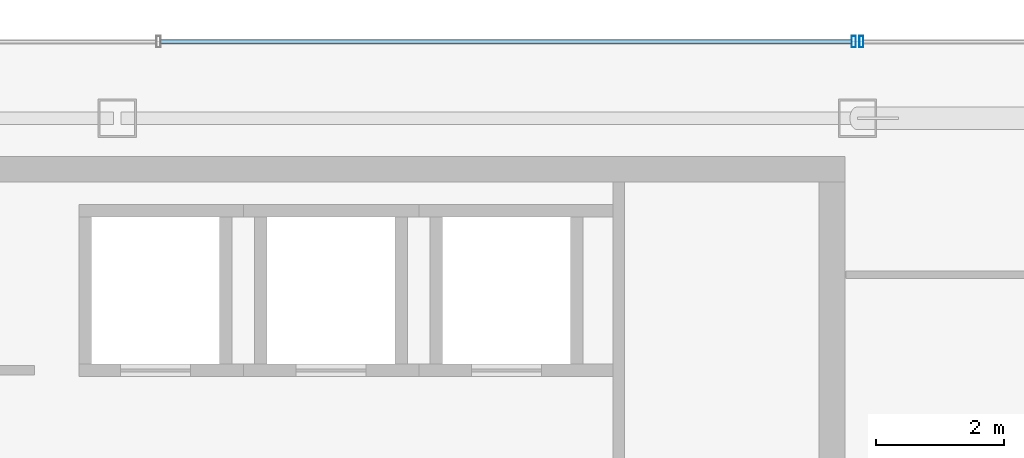
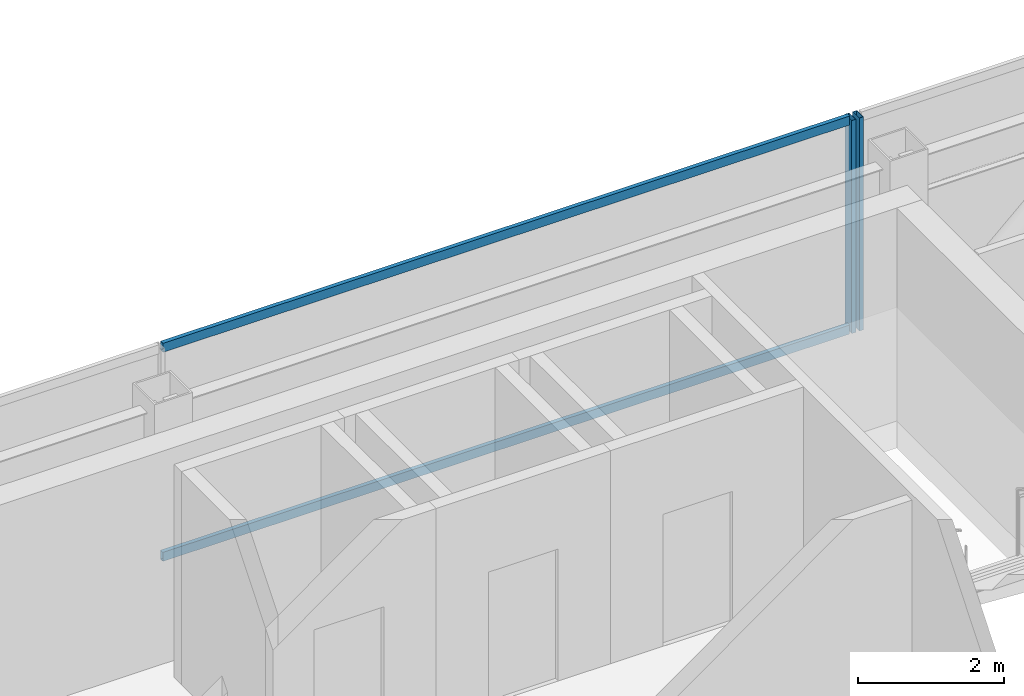
# One storey, part 15 of 25: 4 members, 2 elements without a shape of their own.
"""IFC4 building model written with IfcOpenShell, lengths in metres."""

from ifc_helpers import new_model, si_unit, direction, frame, origin, origin_2d, place, context, subcontext, project, spatial, hollow_rectangle, extrude, material, material_profile, profile_set, type_object, element, aggregate, save


model = new_model("IFC4")

# Units and contexts
model_context = context("Model", 3, precision=1e-05, world=origin(), true_north=direction((0.0, 1.0)))
body_context = subcontext(model_context, "Body", "Model", "MODEL_VIEW")
ifc_project = project(units=[si_unit("LENGTHUNIT", "METRE"), si_unit("AREAUNIT", "SQUARE_METRE"), si_unit("VOLUMEUNIT", "CUBIC_METRE"), si_unit("PLANEANGLEUNIT", "RADIAN"), si_unit("MASSUNIT", "GRAM", prefix="KILO")], contexts=[model_context])

# Site, building, storey
site_placement = place(None, origin())
site = spatial("IfcSite", under=ifc_project, at=site_placement, CompositionType="ELEMENT")
building_placement = place(site_placement, origin())
building = spatial("IfcBuilding", under=site, at=building_placement, Name="Saevonmaru Cultural Tower", CompositionType="ELEMENT")
storey_placement = place(building_placement, frame((0.0, 0.0, 276.199951171875)))
storey = spatial("IfcBuildingStorey", under=building, at=storey_placement, Name="L65", CompositionType="ELEMENT", Elevation=276.199951171875)

# Curtain wall, member
ifc_material = material(Name="Satin Bronze Anodised Aluminium", Category="aluminium")
curtain_wall_type = type_object("IfcCurtainWallType", Name="CW-TYP-B", PredefinedType="NOTDEFINED", material=ifc_material)
curtain_wall_1_placement = place(storey_placement, origin())
curtain_wall_1 = element("IfcCurtainWall", 1, at=curtain_wall_1_placement, inside=storey, type_object=curtain_wall_type, Name="L65 East Braced Bay Spandrel Curtain Wall E10A", PredefinedType="NOTDEFINED")
ifc_material_profile_1 = material_profile(ifc_material, hollow_rectangle(XDim=0.06494140625, YDim=0.179931640625, WallThickness=0.00390625, at=origin_2d()), Name="ALU-MULL-180x65x4")
ifc_profile_set_1 = profile_set([ifc_material_profile_1], Name="Satin Bronze Anodised Aluminium")
member_type_1 = type_object("IfcMemberType", Name="ML-CW-180x65", PredefinedType="MULLION", material=ifc_profile_set_1)
member_1_placement = place(storey_placement, frame((46.4599609375, 56.0, 0.0), z_axis=(0.0, 0.0, 1.0), x_axis=(-1.0, 0.0, 0.0)))
member_1 = element("IfcMember", 2, at=member_1_placement, type_object=member_type_1, Name="CW-TW-L65-E10A mullion 2", PredefinedType="MULLION", context=body_context, shape_type="SweptSolid", body=[
    extrude(hollow_rectangle(XDim=0.06494140625, YDim=0.179931640625, WallThickness=0.00390625, at=origin_2d()), origin(), (0.0, 0.0, 1.0), 3.550048828125),
])
aggregate(curtain_wall_1, [member_1])

# Curtain wall, members
curtain_wall_2_placement = place(storey_placement, origin())
curtain_wall_2 = element("IfcCurtainWall", 3, at=curtain_wall_2_placement, inside=storey, type_object=curtain_wall_type, Name="L65 North Spine Unitised Curtain Wall E10B", PredefinedType="NOTDEFINED")
member_2_placement = place(storey_placement, frame((46.340087890625, 56.0, 0.0), z_axis=(0.0, 0.0, 1.0), x_axis=(-1.0, 0.0, 0.0)))
member_2 = element("IfcMember", 4, at=member_2_placement, type_object=member_type_1, Name="CW-TW-L65-E10B mullion 1", PredefinedType="MULLION", context=body_context, shape_type="SweptSolid", body=[
    extrude(hollow_rectangle(XDim=0.06494140625, YDim=0.179931640625, WallThickness=0.00390625, at=origin_2d()), origin(), (0.0, 0.0, 1.0), 3.550048828125),
])
ifc_material_profile_2 = material_profile(ifc_material, hollow_rectangle(XDim=0.06494140625, YDim=0.14990234375, WallThickness=0.00390625, at=origin_2d()), Name="ALU-TRAN-150x65x4")
ifc_profile_set_2 = profile_set([ifc_material_profile_2], Name="Satin Bronze Anodised Aluminium")
member_type_2 = type_object("IfcMemberType", Name="TR-CW-150x65", PredefinedType="USERDEFINED", material=ifc_profile_set_2)
member_3_placement = place(storey_placement, frame((46.3076171875, 56.0, 0.032470703125), z_axis=(-1.0, 0.0, 0.0), x_axis=(0.0, -1.0, 0.0)))
member_3 = element("IfcMember", 5, at=member_3_placement, type_object=member_type_2, Name="CW-TW-L65-E10B transom 1.1", ObjectType="TRANSOM", PredefinedType="USERDEFINED", context=body_context, shape_type="SweptSolid", body=[
    extrude(hollow_rectangle(XDim=0.06494140625, YDim=0.14990234375, WallThickness=0.00390625, at=origin_2d()), origin(), (0.0, 0.0, 1.0), 10.828369140625),
])
member_4_placement = place(storey_placement, frame((46.3076171875, 56.0, 3.517578125), z_axis=(-1.0, 0.0, 0.0), x_axis=(0.0, -1.0, 0.0)))
member_4 = element("IfcMember", 6, at=member_4_placement, type_object=member_type_2, Name="CW-TW-L65-E10B transom 1.2", ObjectType="TRANSOM", PredefinedType="USERDEFINED", context=body_context, shape_type="SweptSolid", body=[
    extrude(hollow_rectangle(XDim=0.06494140625, YDim=0.14990234375, WallThickness=0.00390625, at=origin_2d()), origin(), (0.0, 0.0, 1.0), 10.828369140625),
])
aggregate(curtain_wall_2, [member_2, member_3, member_4])

save(model, "model.ifc")
